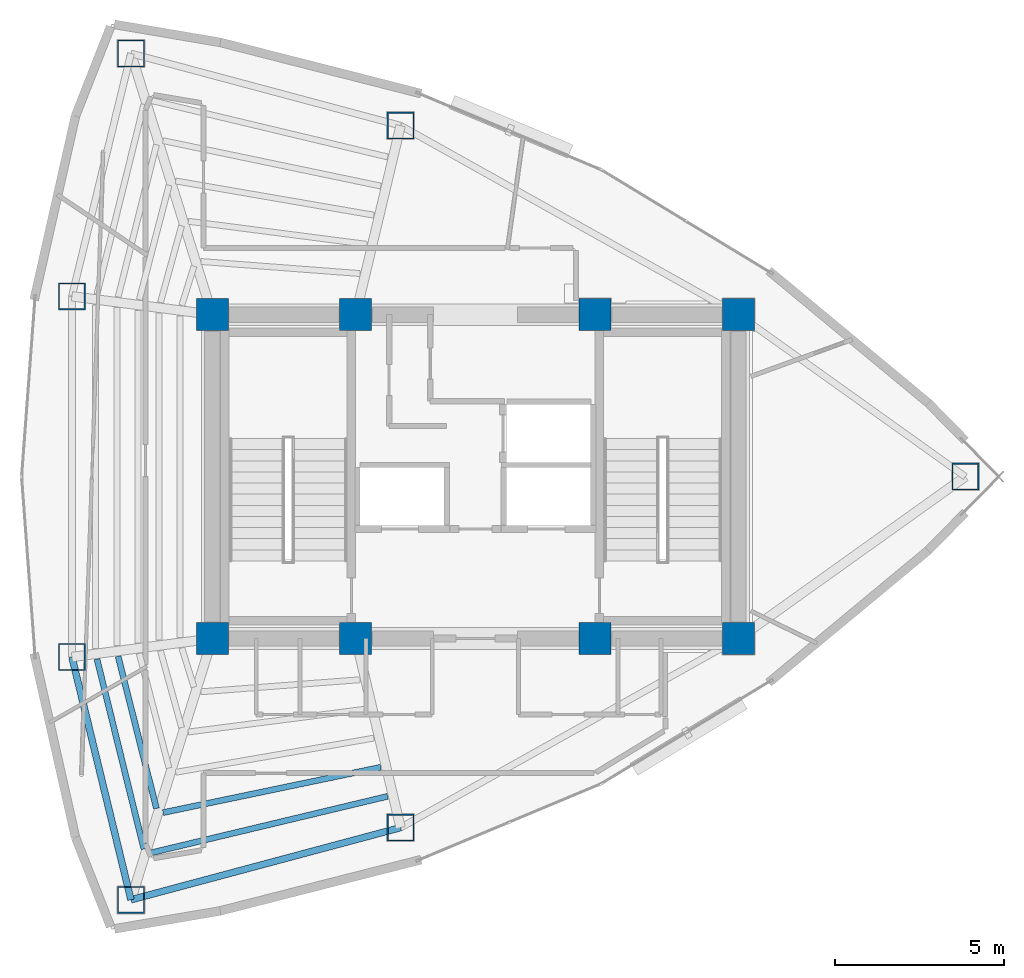
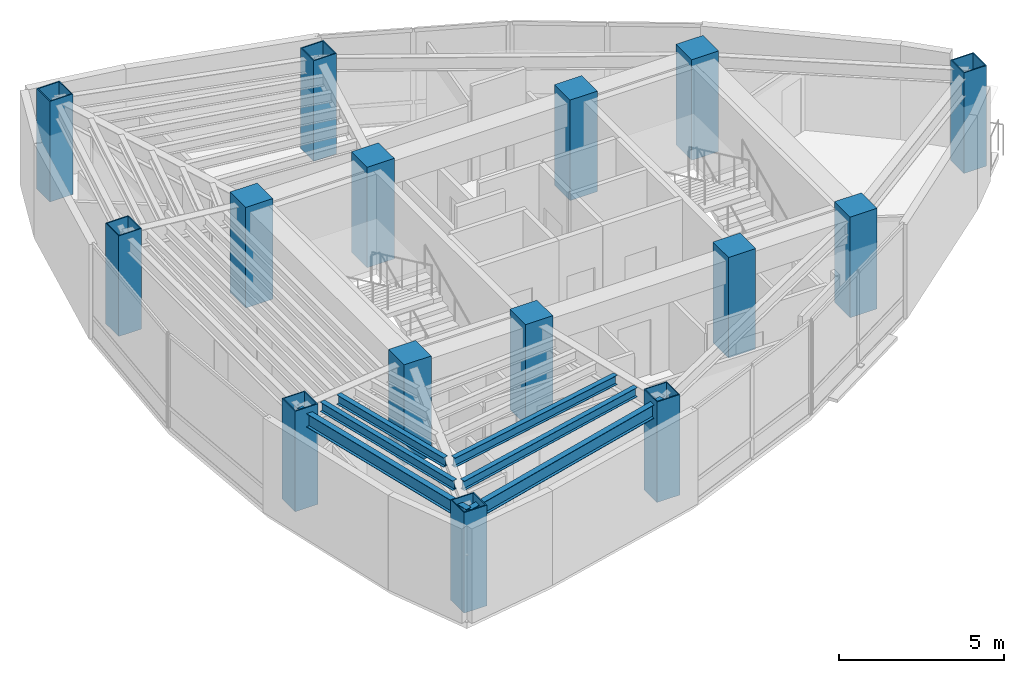
# One storey, part 1 of 16: 15 columns, 6 beams.
"""IFC4 building model written with IfcOpenShell, lengths in metres."""

from ifc_helpers import new_model, si_unit, direction, frame, origin, origin_2d, place, context, subcontext, project, spatial, rectangle, hollow_rectangle, i_section, extrude, material, material_profile, profile_set, type_object, element, save


model = new_model("IFC4")

# Units and contexts
model_context = context("Model", 3, precision=1e-05, world=origin(), true_north=direction((0.0, 1.0)))
body_context = subcontext(model_context, "Body", "Model", "MODEL_VIEW")
ifc_project = project(units=[si_unit("LENGTHUNIT", "METRE"), si_unit("AREAUNIT", "SQUARE_METRE"), si_unit("VOLUMEUNIT", "CUBIC_METRE"), si_unit("PLANEANGLEUNIT", "RADIAN"), si_unit("MASSUNIT", "GRAM", prefix="KILO")], contexts=[model_context])

# Site, building, storey
site_placement = place(None, origin())
site = spatial("IfcSite", under=ifc_project, at=site_placement, CompositionType="ELEMENT")
building_placement = place(site_placement, origin())
building = spatial("IfcBuilding", under=site, at=building_placement, Name="Menara Vayukalpa", CompositionType="ELEMENT")
storey_placement = place(building_placement, frame((0.0, 0.0, 276.89990234375)))
storey = spatial("IfcBuildingStorey", under=building, at=storey_placement, Name="L70", CompositionType="ELEMENT", Elevation=276.89990234375)

# Columns
ifc_material_1 = material(Name="Concrete C60/75", Category="concrete")
ifc_material_profile_1 = material_profile(ifc_material_1, rectangle(XDim=0.949951171875, YDim=0.949951171875, at=origin_2d()), Name="RC 950x950")
ifc_profile_set_1 = profile_set([ifc_material_profile_1], Name="Concrete C60/75")
column_type_1 = type_object("IfcColumnType", Name="COL-CC2", PredefinedType="COLUMN", material=ifc_profile_set_1)
for number, where, z_axis, x_axis, name in (
    (1, (17.800048828125, 17.199951171875, 0.0), (0.0, 0.0, 1.0), (1.0, 0.0, 0.0), "L70 Core Pilaster Column CC1"),
    (2, (22.050048828125, 17.199951171875, 0.0), (0.0, 0.0, 1.0), (1.0, 0.0, 0.0), "L70 Core Pilaster Column CC2"),
    (3, (29.14990234375, 17.199951171875, 0.0), (0.0, 0.0, 1.0), (1.0, 0.0, 0.0), "L70 Core Pilaster Column CC3"),
    (4, (33.39990234375, 17.199951171875, 0.0), (0.0, 0.0, 1.0), (1.0, 0.0, 0.0), "L70 Core Pilaster Column CC4"),
    (5, (17.800048828125, 26.800048828125, 0.0), (0.0, 0.0, 1.0), (1.0, 0.0, 0.0), "L70 Core Pilaster Column CC5"),
    (6, (22.050048828125, 26.800048828125, 0.0), (0.0, 0.0, 1.0), (1.0, 0.0, 0.0), "L70 Core Pilaster Column CC6"),
    (7, (29.14990234375, 26.800048828125, 0.0), (0.0, 0.0, 1.0), (1.0, 0.0, 0.0), "L70 Core Pilaster Column CC7"),
    (8, (33.39990234375, 26.800048828125, 0.0), (0.0, 0.0, 1.0), (1.0, 0.0, 0.0), "L70 Core Pilaster Column CC8"),
):
    element("IfcColumn", number, at=place(storey_placement, frame(where, z_axis=z_axis, x_axis=x_axis)), inside=storey, type_object=column_type_1, Name=name, PredefinedType="COLUMN", context=body_context, shape_type="SweptSolid", body=[
        extrude(rectangle(XDim=0.949951171875, YDim=0.949951171875, at=origin_2d()), origin(), (0.0, 0.0, 1.0), 3.72021484375),
    ])
ifc_material_2 = material(Name="Steel S355", Category="steel")
ifc_material_profile_2 = material_profile(ifc_material_2, hollow_rectangle(XDim=0.800048828125, YDim=0.800048828125, WallThickness=0.034912109375, at=origin_2d()), Name="BOX 800x800x35")
ifc_profile_set_2 = profile_set([ifc_material_profile_2], Name="Steel S355")
column_type_2 = type_object("IfcColumnType", Name="COL-MC5", PredefinedType="COLUMN", material=ifc_profile_set_2)
for number, where, z_axis, x_axis, name in (
    (9, (40.121826171875, 22.0, 0.0), (0.0, 0.0, 1.0), (1.0, 0.0, 0.0), "L70 Perimeter Mega Column P01"),
    (10, (23.3818359375, 32.40478515625, 0.0), (0.0, 0.0, 1.0), (1.0, 0.0, 0.0), "L70 Perimeter Mega Column P03"),
    (11, (15.38916015625, 34.544677734375, 0.0), (0.0, 0.0, 1.0), (1.0, 0.0, 0.0), "L70 Perimeter Mega Column P04"),
    (12, (13.638916015625, 27.3466796875, 0.0), (0.0, 0.0, 1.0), (1.0, 0.0, 0.0), "L70 Perimeter Mega Column P05"),
    (13, (13.638916015625, 16.6533203125, 0.0), (0.0, 0.0, 1.0), (1.0, 0.0, 0.0), "L70 Perimeter Mega Column P06"),
    (14, (15.38916015625, 9.455322265625, 0.0), (0.0, 0.0, 1.0), (1.0, 0.0, 0.0), "L70 Perimeter Mega Column P07"),
    (15, (23.3818359375, 11.59521484375, 0.0), (0.0, 0.0, 1.0), (1.0, 0.0, 0.0), "L70 Perimeter Mega Column P08"),
):
    element("IfcColumn", number, at=place(storey_placement, frame(where, z_axis=z_axis, x_axis=x_axis)), inside=storey, type_object=column_type_2, Name=name, PredefinedType="COLUMN", context=body_context, shape_type="SweptSolid", body=[
        extrude(hollow_rectangle(XDim=0.800048828125, YDim=0.800048828125, WallThickness=0.034912109375, at=origin_2d()), origin(), (0.0, 0.0, 1.0), 3.72021484375),
    ])

# Beams
ifc_material_3 = material(Name="Steel S355", Category="steel")
ifc_material_profile_3 = material_profile(ifc_material_3, i_section(OverallWidth=0.175048828125, OverallDepth=0.35009765625, WebThickness=0.007080078125, FlangeThickness=0.010986328125, at=origin_2d()), Name="WF 350x175x7x11")
ifc_profile_set_3 = profile_set([ifc_material_profile_3], Name="Steel S355")
beam_type_1 = type_object("IfcBeamType", Name="BM-SJ3", PredefinedType="JOIST", material=ifc_profile_set_3)
beam_1_placement = place(storey_placement, frame((15.008544921875, 16.6728515625, 3.3251953125), z_axis=(0.244239657645, -0.969714901212, 0.0), x_axis=(0.969714901212, 0.244239657645, 0.0)))
element("IfcBeam", 16, at=beam_1_placement, inside=storey, type_object=beam_type_1, Name="L70 Secondary Floor Joist SJ06-4", PredefinedType="JOIST", context=body_context, shape_type="SweptSolid", body=[
    extrude(i_section(OverallWidth=0.175048828125, OverallDepth=0.35009765625, WebThickness=0.007080078125, FlangeThickness=0.010986328125, at=origin_2d()), origin(), (0.0, 0.0, 1.0), 4.651123046875),
])
beam_2_placement = place(storey_placement, frame((14.381591796875, 16.590576171875, 3.3251953125), z_axis=(0.239690910211, -0.970849250688, 0.0), x_axis=(0.970849250688, 0.239690910211, 0.0)))
element("IfcBeam", 17, at=beam_2_placement, inside=storey, type_object=beam_type_1, Name="L70 Secondary Floor Joist SJ06-5", PredefinedType="JOIST", context=body_context, shape_type="SweptSolid", body=[
    extrude(i_section(OverallWidth=0.175048828125, OverallDepth=0.35009765625, WebThickness=0.007080078125, FlangeThickness=0.010986328125, at=origin_2d()), origin(), (0.0, 0.0, 1.0), 5.797607421875),
])
beam_3_placement = place(storey_placement, frame((16.340087890625, 12.0400390625, 3.3251953125), z_axis=(0.978940645958, 0.204145075108, 0.0), x_axis=(-0.204145075108, 0.978940645958, 0.0)))
element("IfcBeam", 18, at=beam_3_placement, inside=storey, type_object=beam_type_1, Name="L70 Secondary Floor Joist SJ07-4", PredefinedType="JOIST", context=body_context, shape_type="SweptSolid", body=[
    extrude(i_section(OverallWidth=0.175048828125, OverallDepth=0.35009765625, WebThickness=0.007080078125, FlangeThickness=0.010986328125, at=origin_2d()), origin(), (0.0, 0.0, 1.0), 6.5908203125),
])
beam_4_placement = place(storey_placement, frame((15.96533203125, 10.843505859375, 3.3251953125), z_axis=(0.972633830791, 0.232343347656, 0.0), x_axis=(-0.232343347656, 0.972633830791, 0.0)))
element("IfcBeam", 19, at=beam_4_placement, inside=storey, type_object=beam_type_1, Name="L70 Secondary Floor Joist SJ07-5", PredefinedType="JOIST", context=body_context, shape_type="SweptSolid", body=[
    extrude(i_section(OverallWidth=0.175048828125, OverallDepth=0.35009765625, WebThickness=0.007080078125, FlangeThickness=0.010986328125, at=origin_2d()), origin(), (0.0, 0.0, 1.0), 7.229248046875),
])
ifc_material_4 = material(Name="Steel S355", Category="steel")
ifc_material_profile_4 = material_profile(ifc_material_4, i_section(OverallWidth=0.199951171875, OverallDepth=0.5, WebThickness=0.010009765625, FlangeThickness=0.01611328125, at=origin_2d()), Name="WF 500x200x10x16")
ifc_profile_set_4 = profile_set([ifc_material_profile_4], Name="Steel S355")
beam_type_2 = type_object("IfcBeamType", Name="BM-SP3", PredefinedType="SPANDREL", material=ifc_profile_set_4)
beam_5_placement = place(storey_placement, frame((13.638916015625, 16.6533203125, 3.25), z_axis=(0.236272525754, -0.97168682896, 0.0), x_axis=(0.97168682896, 0.236272525754, 0.0)))
element("IfcBeam", 20, at=beam_5_placement, inside=storey, type_object=beam_type_2, Name="L70 Perimeter Spandrel Beam SP06", PredefinedType="SPANDREL", context=body_context, shape_type="SweptSolid", body=[
    extrude(i_section(OverallWidth=0.199951171875, OverallDepth=0.5, WebThickness=0.010009765625, FlangeThickness=0.01611328125, at=origin_2d()), origin(), (0.0, 0.0, 1.0), 7.40771484375),
])
beam_6_placement = place(storey_placement, frame((15.38916015625, 9.455322265625, 3.25), z_axis=(0.965978332552, 0.258623009494, 0.0), x_axis=(-0.258623009494, 0.965978332552, 0.0)))
element("IfcBeam", 21, at=beam_6_placement, inside=storey, type_object=beam_type_2, Name="L70 Perimeter Spandrel Beam SP07", PredefinedType="SPANDREL", context=body_context, shape_type="SweptSolid", body=[
    extrude(i_section(OverallWidth=0.199951171875, OverallDepth=0.5, WebThickness=0.010009765625, FlangeThickness=0.01611328125, at=origin_2d()), origin(), (0.0, 0.0, 1.0), 8.274169921875),
])

save(model, "model.ifc")
